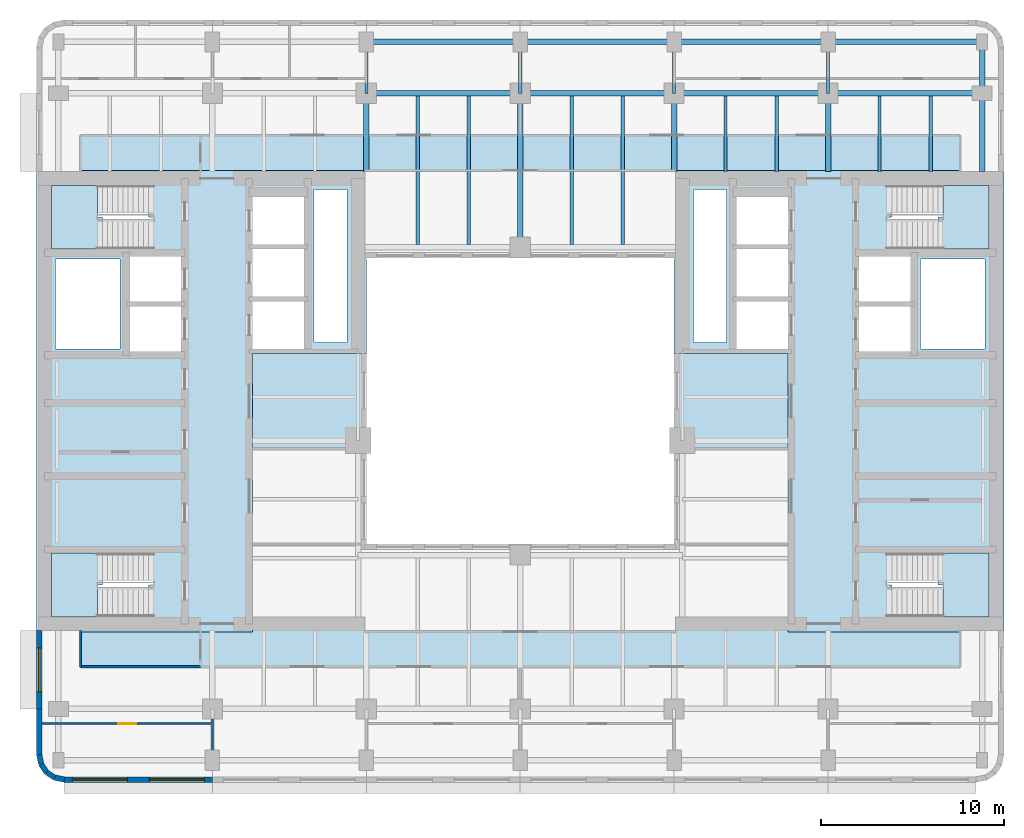
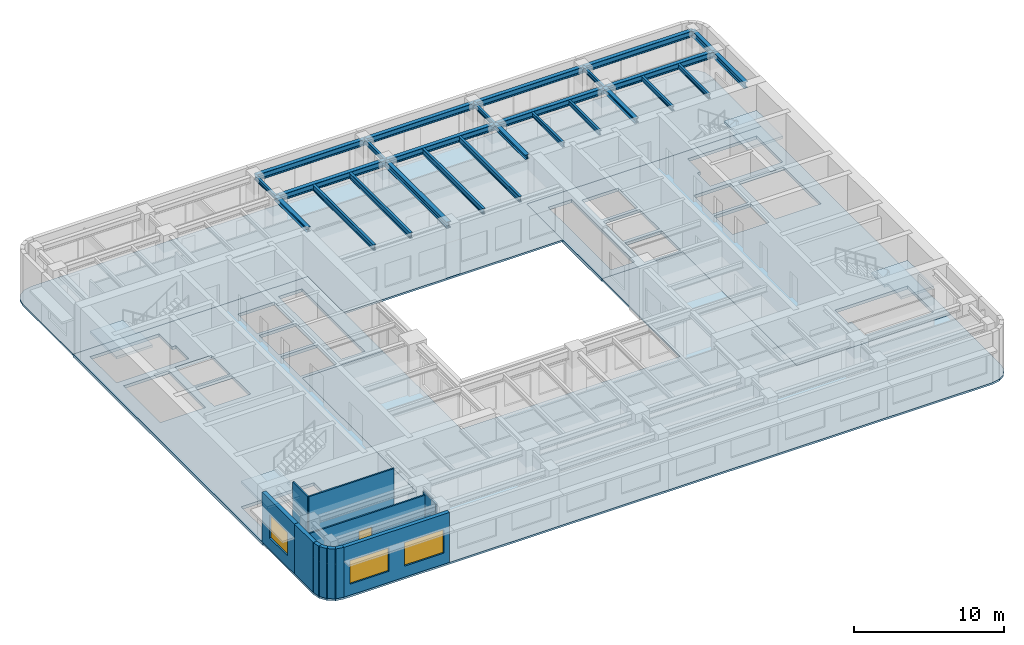
# One storey, part 2 of 11: 26 beams, 11 walls, 8 slabs, 3 windows, 1 door, 4 openings, 4 elements without a shape of their own.
"""IFC4 building model written with IfcOpenShell, lengths in metres."""

from ifc_helpers import new_model, si_unit, direction, frame, frame_2d, origin, origin_2d, place, context, subcontext, project, spatial, polyline, rectangle, i_section, outline, extrude, material, layer, layer_set, material_profile, profile_set, type_object, element, fill, aggregate, save


model = new_model("IFC4")

# Units and contexts
model_context = context("Model", 3, precision=1e-05, world=origin(), true_north=direction((0.0, 1.0)))
body_context = subcontext(model_context, "Body", "Model", "MODEL_VIEW")
ifc_project = project(units=[si_unit("LENGTHUNIT", "METRE"), si_unit("AREAUNIT", "SQUARE_METRE"), si_unit("VOLUMEUNIT", "CUBIC_METRE"), si_unit("PLANEANGLEUNIT", "RADIAN"), si_unit("MASSUNIT", "GRAM", prefix="KILO")], contexts=[model_context])

# Site, building, storey
site_placement = place(None, origin())
site = spatial("IfcSite", under=ifc_project, at=site_placement, CompositionType="ELEMENT")
building_placement = place(site_placement, origin())
building = spatial("IfcBuilding", under=site, at=building_placement, Name="Claustro Exchange Tower", CompositionType="ELEMENT")
storey_placement = place(building_placement, frame((0.0, 0.0, 198.60009765625)))
storey = spatial("IfcBuildingStorey", under=building, at=storey_placement, Name="L45", CompositionType="ELEMENT", Elevation=198.60009765625)

# Beams
ifc_material_1 = material(Name="Steel S355", Category="steel")
ifc_material_profile_1 = material_profile(ifc_material_1, i_section(OverallWidth=0.169921875, OverallDepth=0.360107421875, WebThickness=0.008056640625, FlangeThickness=0.0126953125, FilletRadius=0.01806640625, at=origin_2d()), Name="IPE 360")
ifc_profile_set_1 = profile_set([ifc_material_profile_1], Name="Steel S355")
beam_type_1 = type_object("IfcBeamType", Name="B16 IPE 360 short-span beam", PredefinedType="BEAM", material=ifc_profile_set_1)
for number, where, z_axis, x_axis, name in (
    (1, (16.800048828125, 42.0, 3.869873046875), (0.0, 1.0, 0.0), (-1.0, 0.0, 0.0), "Beam B16 L46"),
    (2, (25.199951171875, 42.0, 3.869873046875), (0.0, 1.0, 0.0), (-1.0, 0.0, 0.0), "Beam B16 L46"),
    (3, (33.60009765625, 42.0, 3.869873046875), (0.0, 1.0, 0.0), (-1.0, 0.0, 0.0), "Beam B16 L46"),
    (4, (42.0, 42.0, 3.869873046875), (0.0, 1.0, 0.0), (-1.0, 0.0, 0.0), "Beam B16 L46"),
):
    element("IfcBeam", number, at=place(storey_placement, frame(where, z_axis=z_axis, x_axis=x_axis)), inside=storey, type_object=beam_type_1, Name=name, PredefinedType="BEAM", context=body_context, shape_type="SweptSolid", body=[
        extrude(i_section(OverallWidth=0.169921875, OverallDepth=0.360107421875, WebThickness=0.008056640625, FlangeThickness=0.0126953125, FilletRadius=0.01806640625, at=origin_2d()), origin(), (0.0, 0.0, 1.0), 2.800048828125),
    ])
for number, where, z_axis, x_axis, name in (
    (5, (36.39990234375, 37.72509765625, 3.869873046875), (0.0, 1.0, 0.0), (-1.0, 0.0, 0.0), "Beam B16 L46"),
    (6, (39.199951171875, 37.72509765625, 3.869873046875), (0.0, 1.0, 0.0), (-1.0, 0.0, 0.0), "Beam B16 L46"),
    (7, (44.800048828125, 37.72509765625, 3.869873046875), (0.0, 1.0, 0.0), (-1.0, 0.0, 0.0), "Beam B16 L46"),
    (8, (47.60009765625, 37.72509765625, 3.869873046875), (0.0, 1.0, 0.0), (-1.0, 0.0, 0.0), "Beam B16 L46"),
):
    element("IfcBeam", number, at=place(storey_placement, frame(where, z_axis=z_axis, x_axis=x_axis)), inside=storey, type_object=beam_type_1, Name=name, PredefinedType="BEAM", context=body_context, shape_type="SweptSolid", body=[
        extrude(i_section(OverallWidth=0.169921875, OverallDepth=0.360107421875, WebThickness=0.008056640625, FlangeThickness=0.0126953125, FilletRadius=0.01806640625, at=origin_2d()), origin(), (0.0, 0.0, 1.0), 4.125),
    ])
ifc_material_2 = material(Name="Steel S355", Category="steel")
ifc_material_profile_2 = material_profile(ifc_material_2, i_section(OverallWidth=0.300048828125, OverallDepth=0.360107421875, WebThickness=0.012451171875, FlangeThickness=0.0224609375, FilletRadius=0.027099609375, at=origin_2d()), Name="HE 360 B")
ifc_profile_set_2 = profile_set([ifc_material_profile_2], Name="Steel S355")
beam_type_2 = type_object("IfcBeamType", Name="B29 HE 360 B column to core link beam", PredefinedType="BEAM", material=ifc_profile_set_2)
for number, where, z_axis, x_axis, name in (
    (9, (16.800048828125, 37.72509765625, 3.869873046875), (0.0, 1.0, 0.0), (-1.0, 0.0, 0.0), "Beam B29 L46"),
    (10, (33.60009765625, 37.72509765625, 3.869873046875), (0.0, 1.0, 0.0), (-1.0, 0.0, 0.0), "Beam B29 L46"),
    (11, (42.0, 37.72509765625, 3.869873046875), (0.0, 1.0, 0.0), (-1.0, 0.0, 0.0), "Beam B29 L46"),
):
    element("IfcBeam", number, at=place(storey_placement, frame(where, z_axis=z_axis, x_axis=x_axis)), inside=storey, type_object=beam_type_2, Name=name, PredefinedType="BEAM", context=body_context, shape_type="SweptSolid", body=[
        extrude(i_section(OverallWidth=0.300048828125, OverallDepth=0.360107421875, WebThickness=0.012451171875, FlangeThickness=0.0224609375, FilletRadius=0.027099609375, at=origin_2d()), origin(), (0.0, 0.0, 1.0), 4.27490234375),
    ])
ifc_material_3 = material(Name="Steel S355", Category="steel")
ifc_material_profile_3 = material_profile(ifc_material_3, i_section(OverallWidth=0.300048828125, OverallDepth=0.5, WebThickness=0.014404296875, FlangeThickness=0.028076171875, FilletRadius=0.027099609375, at=origin_2d()), Name="HE 500 B")
ifc_profile_set_3 = profile_set([ifc_material_profile_3], Name="Steel S355")
beam_type_3 = type_object("IfcBeamType", Name="B7 HE 500 B floor girder", PredefinedType="BEAM", material=ifc_profile_set_3)
for number, where, z_axis, x_axis, name in (
    (12, (25.199951171875, 33.60009765625, 3.7998046875), (0.0, 1.0, 0.0), (-1.0, 0.0, 0.0), "Beam B7 L46"),
    (13, (16.800048828125, 42.0, 3.7998046875), (1.0, 0.0, 0.0), (0.0, 1.0, 0.0), "Beam B7 L46"),
):
    element("IfcBeam", number, at=place(storey_placement, frame(where, z_axis=z_axis, x_axis=x_axis)), inside=storey, type_object=beam_type_3, Name=name, PredefinedType="BEAM", context=body_context, shape_type="SweptSolid", body=[
        extrude(i_section(OverallWidth=0.300048828125, OverallDepth=0.5, WebThickness=0.014404296875, FlangeThickness=0.028076171875, FilletRadius=0.027099609375, at=origin_2d()), origin(), (0.0, 0.0, 1.0), 8.39990234375),
    ])
beam_1_placement = place(storey_placement, frame((25.199951171875, 42.0, 3.7998046875), z_axis=(1.0, 0.0, 0.0), x_axis=(0.0, 1.0, 0.0)))
element("IfcBeam", 14, at=beam_1_placement, inside=storey, type_object=beam_type_3, Name="Beam B7 L46", PredefinedType="BEAM", context=body_context, shape_type="SweptSolid", body=[
    extrude(i_section(OverallWidth=0.300048828125, OverallDepth=0.5, WebThickness=0.014404296875, FlangeThickness=0.028076171875, FilletRadius=0.027099609375, at=origin_2d()), origin(), (0.0, 0.0, 1.0), 8.400146484375),
])
for number, where, z_axis, x_axis, name in (
    (15, (33.60009765625, 42.0, 3.7998046875), (1.0, 0.0, 0.0), (0.0, 1.0, 0.0), "Beam B7 L46"),
    (16, (42.0, 42.0, 3.7998046875), (1.0, 0.0, 0.0), (0.0, 1.0, 0.0), "Beam B7 L46"),
):
    element("IfcBeam", number, at=place(storey_placement, frame(where, z_axis=z_axis, x_axis=x_axis)), inside=storey, type_object=beam_type_3, Name=name, PredefinedType="BEAM", context=body_context, shape_type="SweptSolid", body=[
        extrude(i_section(OverallWidth=0.300048828125, OverallDepth=0.5, WebThickness=0.014404296875, FlangeThickness=0.028076171875, FilletRadius=0.027099609375, at=origin_2d()), origin(), (0.0, 0.0, 1.0), 8.39990234375),
    ])
ifc_material_4 = material(Name="Steel S355", Category="steel")
ifc_material_profile_4 = material_profile(ifc_material_4, i_section(OverallWidth=0.18994140625, OverallDepth=0.449951171875, WebThickness=0.009521484375, FlangeThickness=0.0146484375, FilletRadius=0.02099609375, at=origin_2d()), Name="IPE 450")
ifc_profile_set_4 = profile_set([ifc_material_profile_4], Name="Steel S355")
beam_type_4 = type_object("IfcBeamType", Name="B8 IPE 450 secondary beam", PredefinedType="BEAM", material=ifc_profile_set_4)
for number, where, z_axis, x_axis, name in (
    (17, (19.60009765625, 33.75, 3.824951171875), (0.0, 1.0, 0.0), (-1.0, 0.0, 0.0), "Beam B8 L46"),
    (18, (22.39990234375, 33.75, 3.824951171875), (0.0, 1.0, 0.0), (-1.0, 0.0, 0.0), "Beam B8 L46"),
    (19, (28.0, 33.75, 3.824951171875), (0.0, 1.0, 0.0), (-1.0, 0.0, 0.0), "Beam B8 L46"),
    (20, (30.800048828125, 33.75, 3.824951171875), (0.0, 1.0, 0.0), (-1.0, 0.0, 0.0), "Beam B8 L46"),
):
    element("IfcBeam", number, at=place(storey_placement, frame(where, z_axis=z_axis, x_axis=x_axis)), inside=storey, type_object=beam_type_4, Name=name, PredefinedType="BEAM", context=body_context, shape_type="SweptSolid", body=[
        extrude(i_section(OverallWidth=0.18994140625, OverallDepth=0.449951171875, WebThickness=0.009521484375, FlangeThickness=0.0146484375, FilletRadius=0.02099609375, at=origin_2d()), origin(), (0.0, 0.0, 1.0), 8.10009765625),
    ])
ifc_material_5 = material(Name="Steel S355", Category="steel")
ifc_material_profile_5 = material_profile(ifc_material_5, i_section(OverallWidth=0.300048828125, OverallDepth=0.489990234375, WebThickness=0.011962890625, FlangeThickness=0.02294921875, FilletRadius=0.027099609375, at=origin_2d()), Name="HE 500 A")
ifc_profile_set_5 = profile_set([ifc_material_profile_5], Name="Steel S355")
beam_type_5 = type_object("IfcBeamType", Name="B9 HE 500 A spandrel edge girder", PredefinedType="SPANDREL", material=ifc_profile_set_5)
beam_2_placement = place(storey_placement, frame((50.39990234375, 37.72509765625, 3.804931640625), z_axis=(0.0, 1.0, 0.0), x_axis=(-1.0, 0.0, 0.0)))
element("IfcBeam", 21, at=beam_2_placement, inside=storey, type_object=beam_type_5, Name="Beam B9 L46", PredefinedType="SPANDREL", context=body_context, shape_type="SweptSolid", body=[
    extrude(i_section(OverallWidth=0.300048828125, OverallDepth=0.489990234375, WebThickness=0.011962890625, FlangeThickness=0.02294921875, FilletRadius=0.027099609375, at=origin_2d()), origin(), (0.0, 0.0, 1.0), 4.27490234375),
])
beam_3_placement = place(storey_placement, frame((50.39990234375, 42.0, 3.804931640625), z_axis=(0.0, 1.0, 0.0), x_axis=(-1.0, 0.0, 0.0)))
element("IfcBeam", 22, at=beam_3_placement, inside=storey, type_object=beam_type_5, Name="Beam B9 L46", PredefinedType="SPANDREL", context=body_context, shape_type="SweptSolid", body=[
    extrude(i_section(OverallWidth=0.300048828125, OverallDepth=0.489990234375, WebThickness=0.011962890625, FlangeThickness=0.02294921875, FilletRadius=0.027099609375, at=origin_2d()), origin(), (0.0, 0.0, 1.0), 2.800048828125),
])
beam_4_placement = place(storey_placement, frame((16.800048828125, 44.800048828125, 3.804931640625), z_axis=(1.0, 0.0, 0.0), x_axis=(0.0, 1.0, 0.0)))
element("IfcBeam", 23, at=beam_4_placement, inside=storey, type_object=beam_type_5, Name="Beam B9 L46", PredefinedType="SPANDREL", context=body_context, shape_type="SweptSolid", body=[
    extrude(i_section(OverallWidth=0.300048828125, OverallDepth=0.489990234375, WebThickness=0.011962890625, FlangeThickness=0.02294921875, FilletRadius=0.027099609375, at=origin_2d()), origin(), (0.0, 0.0, 1.0), 8.39990234375),
])
beam_5_placement = place(storey_placement, frame((25.199951171875, 44.800048828125, 3.804931640625), z_axis=(1.0, 0.0, 0.0), x_axis=(0.0, 1.0, 0.0)))
element("IfcBeam", 24, at=beam_5_placement, inside=storey, type_object=beam_type_5, Name="Beam B9 L46", PredefinedType="SPANDREL", context=body_context, shape_type="SweptSolid", body=[
    extrude(i_section(OverallWidth=0.300048828125, OverallDepth=0.489990234375, WebThickness=0.011962890625, FlangeThickness=0.02294921875, FilletRadius=0.027099609375, at=origin_2d()), origin(), (0.0, 0.0, 1.0), 8.400146484375),
])
for number, where, z_axis, x_axis, name in (
    (25, (33.60009765625, 44.800048828125, 3.804931640625), (1.0, 0.0, 0.0), (0.0, 1.0, 0.0), "Beam B9 L46"),
    (26, (42.0, 44.800048828125, 3.804931640625), (1.0, 0.0, 0.0), (0.0, 1.0, 0.0), "Beam B9 L46"),
):
    element("IfcBeam", number, at=place(storey_placement, frame(where, z_axis=z_axis, x_axis=x_axis)), inside=storey, type_object=beam_type_5, Name=name, PredefinedType="SPANDREL", context=body_context, shape_type="SweptSolid", body=[
        extrude(i_section(OverallWidth=0.300048828125, OverallDepth=0.489990234375, WebThickness=0.011962890625, FlangeThickness=0.02294921875, FilletRadius=0.027099609375, at=origin_2d()), origin(), (0.0, 0.0, 1.0), 8.39990234375),
    ])

# Slabs
ifc_material_6 = material(Name="Concrete HA-50 (C50/60)", Category="concrete")
ifc_layer_1 = layer(ifc_material_6, 0.14990234375)
ifc_layer_set_1 = layer_set([ifc_layer_1], Name="Concrete HA-50 (C50/60)")
slab_type_1 = type_object("IfcSlabType", Name="S2 150 composite floor slab", PredefinedType="FLOOR", material=ifc_layer_set_1)
slab_1_placement = place(storey_placement, frame((0.0, 0.0, -0.150146484375)))
element("IfcSlab", 27, at=slab_1_placement, inside=storey, type_object=slab_type_1, Name="Floor slab S2 S L45", PredefinedType="FLOOR", context=body_context, shape_type="SweptSolid", body=[
    extrude(outline(polyline([(-0.27392578125, 4.51416015625), (0.300048828125, 4.39990234375), (50.10009765625, 4.39990234375), (50.674072265625, 4.51416015625), (51.16064453125, 4.83935546875), (51.48583984375, 5.325927734375), (51.60009765625, 5.89990234375), (51.60009765625, 12.60009765625), (39.800048828125, 12.60009765625), (39.800048828125, 27.800048828125), (33.60009765625, 27.800048828125), (33.60009765625, 17.39990234375), (16.800048828125, 17.39990234375), (16.800048828125, 27.800048828125), (10.60009765625, 27.800048828125), (10.60009765625, 12.60009765625), (-1.199951171875, 12.60009765625), (-1.199951171875, 5.89990234375), (-1.085693359375, 5.325927734375), (-0.7607421875, 4.83935546875), (-0.27392578125, 4.51416015625)])), origin(), (0.0, 0.0, 1.0), 0.150146484375),
])
slab_2_placement = place(storey_placement, frame((0.0, 0.0, -0.150146484375)))
element("IfcSlab", 28, at=slab_2_placement, inside=storey, type_object=slab_type_1, Name="Floor slab S2 N L45", PredefinedType="FLOOR", context=body_context, shape_type="SweptSolid", body=[
    extrude(outline(polyline([(16.800048828125, 37.800048828125), (16.800048828125, 33.0), (33.60009765625, 33.0), (33.60009765625, 37.800048828125), (51.60009765625, 37.800048828125), (51.60009765625, 44.5), (51.48583984375, 45.073974609375), (51.16064453125, 45.560791015625), (50.674072265625, 45.8857421875), (50.10009765625, 46.0), (0.300048828125, 46.0), (-0.27392578125, 45.8857421875), (-0.7607421875, 45.560791015625), (-1.085693359375, 45.073974609375), (-1.199951171875, 44.5), (-1.199951171875, 37.800048828125), (16.800048828125, 37.800048828125)])), origin(), (0.0, 0.0, 1.0), 0.150146484375),
])
ifc_material_7 = material(Name="Concrete HA-50 (C50/60)", Category="concrete")
ifc_layer_2 = layer(ifc_material_7, 0.25)
ifc_layer_set_2 = layer_set([ifc_layer_2], Name="Concrete HA-50 (C50/60)")
slab_type_2 = type_object("IfcSlabType", Name="S7 250 core floor slab", PredefinedType="FLOOR", material=ifc_layer_set_2)
slab_3_placement = place(storey_placement, frame((0.0, 0.0, -0.25)))
element("IfcSlab", 29, at=slab_3_placement, inside=storey, type_object=slab_type_2, Name="Core floor slab S7 W core L45", PredefinedType="FLOOR", context=body_context, shape_type="SweptSolid", body=[
    extrude(outline(polyline([(-1.199951171875, 37.800048828125), (-1.199951171875, 12.60009765625), (10.60009765625, 12.60009765625), (10.60009765625, 27.800048828125), (16.800048828125, 27.800048828125), (16.800048828125, 37.800048828125), (-1.199951171875, 37.800048828125)]), holes=[polyline([(13.949951171875, 36.75), (15.75, 36.75), (15.75, 28.39990234375), (13.949951171875, 28.39990234375), (13.949951171875, 36.75)]), polyline([(10.60009765625, 30.64990234375), (13.39990234375, 30.64990234375), (13.39990234375, 28.050048828125), (10.60009765625, 28.050048828125), (10.60009765625, 30.64990234375)]), polyline([(10.60009765625, 33.5), (13.39990234375, 33.5), (13.39990234375, 30.89990234375), (10.60009765625, 30.89990234375), (10.60009765625, 33.5)]), polyline([(13.39990234375, 36.35009765625), (13.39990234375, 33.75), (10.60009765625, 33.75), (10.60009765625, 36.35009765625), (13.39990234375, 36.35009765625)]), polyline([(3.89990234375, 30.375), (6.699951171875, 30.375), (6.699951171875, 27.89990234375), (3.89990234375, 27.89990234375), (3.89990234375, 30.375)]), polyline([(3.89990234375, 33.10009765625), (6.699951171875, 33.10009765625), (6.699951171875, 30.625), (3.89990234375, 30.625), (3.89990234375, 33.10009765625)]), polyline([(-0.375, 15.16259765625), (-0.375, 16.89990234375), (5.195068359375, 16.89990234375), (5.195068359375, 15.16259765625), (4.919921875, 15.16259765625), (4.919921875, 13.425048828125), (-0.375, 13.425048828125), (-0.375, 15.16259765625)]), polyline([(-0.375, 35.237548828125), (-0.375, 36.97509765625), (4.919921875, 36.97509765625), (4.919921875, 35.237548828125), (5.195068359375, 35.237548828125), (5.195068359375, 33.5), (-0.375, 33.5), (-0.375, 35.237548828125)]), polyline([(-0.14990234375, 32.949951171875), (3.35009765625, 32.949951171875), (3.35009765625, 28.050048828125), (-0.14990234375, 28.050048828125), (-0.14990234375, 32.949951171875)])]), origin(), (0.0, 0.0, 1.0), 0.25),
])
slab_4_placement = place(storey_placement, frame((0.0, 0.0, -0.25)))
element("IfcSlab", 30, at=slab_4_placement, inside=storey, type_object=slab_type_2, Name="Core floor slab S7 E core L45", PredefinedType="FLOOR", context=body_context, shape_type="SweptSolid", body=[
    extrude(outline(polyline([(51.60009765625, 37.800048828125), (33.60009765625, 37.800048828125), (33.60009765625, 27.800048828125), (39.800048828125, 27.800048828125), (39.800048828125, 12.60009765625), (51.60009765625, 12.60009765625), (51.60009765625, 37.800048828125)]), holes=[polyline([(45.47998046875, 15.16259765625), (45.205078125, 15.16259765625), (45.205078125, 16.89990234375), (50.77490234375, 16.89990234375), (50.77490234375, 15.16259765625), (50.77490234375, 13.425048828125), (45.47998046875, 13.425048828125), (45.47998046875, 15.16259765625)]), polyline([(45.47998046875, 35.237548828125), (45.47998046875, 36.97509765625), (50.77490234375, 36.97509765625), (50.77490234375, 35.237548828125), (50.77490234375, 33.5), (45.205078125, 33.5), (45.205078125, 35.237548828125), (45.47998046875, 35.237548828125)]), polyline([(47.050048828125, 32.949951171875), (50.550048828125, 32.949951171875), (50.550048828125, 28.050048828125), (47.050048828125, 28.050048828125), (47.050048828125, 32.949951171875)]), polyline([(43.699951171875, 30.375), (46.5, 30.375), (46.5, 27.89990234375), (43.699951171875, 27.89990234375), (43.699951171875, 30.375)]), polyline([(43.699951171875, 33.10009765625), (46.5, 33.10009765625), (46.5, 30.625), (43.699951171875, 30.625), (43.699951171875, 33.10009765625)]), polyline([(37.0, 30.64990234375), (39.800048828125, 30.64990234375), (39.800048828125, 28.050048828125), (37.0, 28.050048828125), (37.0, 30.64990234375)]), polyline([(37.0, 33.5), (39.800048828125, 33.5), (39.800048828125, 30.89990234375), (37.0, 30.89990234375), (37.0, 33.5)]), polyline([(39.800048828125, 36.35009765625), (39.800048828125, 33.75), (37.0, 33.75), (37.0, 36.35009765625), (39.800048828125, 36.35009765625)]), polyline([(34.64990234375, 36.75), (36.449951171875, 36.75), (36.449951171875, 28.39990234375), (34.64990234375, 28.39990234375), (34.64990234375, 36.75)])]), origin(), (0.0, 0.0, 1.0), 0.25),
])

# Stair, slab
ifc_material_8 = material(Name="Concrete HA-30 (C30/37), precast", Category="concrete")
stair_type = type_object("IfcStairType", Name="ST1 half-turn stair, 24 risers of 175", PredefinedType="HALF_TURN_STAIR", material=ifc_material_8)
stair_1_placement = place(storey_placement, origin())
stair_1 = element("IfcStair", 31, at=stair_1_placement, inside=storey, type_object=stair_type, Name="Stair STWA L45", PredefinedType="HALF_TURN_STAIR")
ifc_material_9 = material(Name="Concrete HA-30 (C30/37), precast", Category="concrete")
ifc_layer_3 = layer(ifc_material_9, 0.199951171875)
ifc_layer_set_3 = layer_set([ifc_layer_3], Name="Concrete HA-30 (C30/37), precast")
slab_type_3 = type_object("IfcSlabType", Name="S9 200 stair landing", PredefinedType="LANDING", material=ifc_layer_set_3)
slab_5_placement = place(storey_placement, frame((0.0, 0.0, 1.89990234375)))
slab_5 = element("IfcSlab", 32, at=slab_5_placement, type_object=slab_type_3, Name="STWA landing 1", PredefinedType="LANDING", context=body_context, shape_type="SweptSolid", body=[
    extrude(outline(polyline([(2.125, 13.425048828125), (-0.375, 13.425048828125), (-0.375, 16.89990234375), (2.1201171875, 16.89990234375), (2.125, 16.89990234375), (2.39990234375, 16.89990234375), (2.39990234375, 15.16259765625), (2.125, 15.16259765625), (2.125, 13.425048828125)])), origin(), (0.0, 0.0, 1.0), 0.199951171875),
])
aggregate(stair_1, [slab_5])

stair_2_placement = place(storey_placement, origin())
stair_2 = element("IfcStair", 33, at=stair_2_placement, inside=storey, type_object=stair_type, Name="Stair STWB L45", PredefinedType="HALF_TURN_STAIR")
slab_6_placement = place(storey_placement, frame((0.0, 0.0, 1.89990234375)))
slab_6 = element("IfcSlab", 34, at=slab_6_placement, type_object=slab_type_3, Name="STWB landing 1", PredefinedType="LANDING", context=body_context, shape_type="SweptSolid", body=[
    extrude(outline(polyline([(2.39990234375, 35.237548828125), (2.39990234375, 33.5), (2.125, 33.5), (2.1201171875, 33.5), (-0.375, 33.5), (-0.375, 36.97509765625), (2.125, 36.97509765625), (2.125, 35.237548828125), (2.39990234375, 35.237548828125)])), origin(), (0.0, 0.0, 1.0), 0.199951171875),
])
aggregate(stair_2, [slab_6])

stair_3_placement = place(storey_placement, origin())
stair_3 = element("IfcStair", 35, at=stair_3_placement, inside=storey, type_object=stair_type, Name="Stair STEA L45", PredefinedType="HALF_TURN_STAIR")
slab_7_placement = place(storey_placement, frame((0.0, 0.0, 1.89990234375)))
slab_7 = element("IfcSlab", 36, at=slab_7_placement, type_object=slab_type_3, Name="STEA landing 1", PredefinedType="LANDING", context=body_context, shape_type="SweptSolid", body=[
    extrude(outline(polyline([(50.77490234375, 16.89990234375), (50.77490234375, 13.425048828125), (48.27490234375, 13.425048828125), (48.27490234375, 15.16259765625), (48.0, 15.16259765625), (48.0, 16.89990234375), (48.27490234375, 16.89990234375), (48.280029296875, 16.89990234375), (50.77490234375, 16.89990234375)])), origin(), (0.0, 0.0, 1.0), 0.199951171875),
])
aggregate(stair_3, [slab_7])

stair_4_placement = place(storey_placement, origin())
stair_4 = element("IfcStair", 37, at=stair_4_placement, inside=storey, type_object=stair_type, Name="Stair STEB L45", PredefinedType="HALF_TURN_STAIR")
slab_8_placement = place(storey_placement, frame((0.0, 0.0, 1.89990234375)))
slab_8 = element("IfcSlab", 38, at=slab_8_placement, type_object=slab_type_3, Name="STEB landing 1", PredefinedType="LANDING", context=body_context, shape_type="SweptSolid", body=[
    extrude(outline(polyline([(48.0, 33.5), (48.0, 35.237548828125), (48.27490234375, 35.237548828125), (48.27490234375, 36.97509765625), (50.77490234375, 36.97509765625), (50.77490234375, 33.5), (48.280029296875, 33.5), (48.27490234375, 33.5), (48.0, 33.5)])), origin(), (0.0, 0.0, 1.0), 0.199951171875),
])
aggregate(stair_4, [slab_8])

# Wall, opening, door
ifc_material_10 = material(Name="Laminated glass in aluminium frame", Category="aluminium")
ifc_layer_4 = layer(ifc_material_10, 0.1201171875)
ifc_layer_set_4 = layer_set([ifc_layer_4], Name="Laminated glass in aluminium frame")
wall_type_1 = type_object("IfcWallType", Name="P2 120 glazed partition", PredefinedType="PARTITIONING", material=ifc_layer_set_4)
wall_1_placement = place(storey_placement, frame((-0.902099609375, 7.60009765625, 0.0), z_axis=(0.0, 0.0, 1.0), x_axis=(1.0, 0.0, 0.0)))
wall_1 = element("IfcWall", 39, at=wall_1_placement, inside=storey, type_object=wall_type_1, Name="Partition P2 L45", PredefinedType="PARTITIONING", context=body_context, shape_type="SweptSolid", body=[
    extrude(rectangle(XDim=9.302001953125, YDim=0.1201171875, at=frame_2d((4.65087890625, 0.0))), origin(), (0.0, 0.0, 1.0), 3.559814453125),
])
opening_1_placement = place(wall_1_placement, frame((4.152099609375, 0.0, 0.0)))
opening_1 = element("IfcOpeningElement", 40, at=opening_1_placement, cuts=wall_1, Name="Opening D7", PredefinedType="OPENING", context=body_context, shape_type="SweptSolid", body=[
    extrude(rectangle(XDim=1.0, YDim=2.39990234375, at=frame_2d((0.5, 1.199951171875))), frame((0.0, 0.070068359375, 0.0), z_axis=(0.0, -1.0, 0.0), x_axis=(1.0, 0.0, 0.0)), (0.0, 0.0, 1.0), 0.14013671875),
])
ifc_material_11 = material(Name="Glass door in aluminium frame", Category="aluminium")
door_type = type_object("IfcDoorType", Name="D7 1000 x 2400 glazed door", OperationType="SINGLE_SWING_LEFT", PredefinedType="DOOR", material=ifc_material_11)
door_placement = place(opening_1_placement, frame((1.0, 0.0, 0.0), z_axis=(0.0, 0.0, 1.0), x_axis=(-1.0, 0.0, 0.0)))
door = element("IfcDoor", 41, at=door_placement, inside=storey, type_object=door_type, Name="Door D7 L45", OperationType="SINGLE_SWING_LEFT", OverallHeight=2.39990234375, OverallWidth=1.0, PredefinedType="DOOR", context=body_context, shape_type="SweptSolid", body=[
    extrude(rectangle(XDim=1.0, YDim=2.39990234375, at=frame_2d((0.5, 1.199951171875))), frame((0.0, 0.02490234375, 0.0), z_axis=(0.0, -1.0, 0.0), x_axis=(1.0, 0.0, 0.0)), (0.0, 0.0, 1.0), 0.050048828125),
])
fill(opening_1, door)

# Walls
wall_2_placement = place(storey_placement, frame((8.39990234375, 6.14892578125, 0.0), z_axis=(0.0, 0.0, 1.0), x_axis=(0.0, 1.0, 0.0)))
element("IfcWall", 42, at=wall_2_placement, inside=storey, type_object=wall_type_1, Name="Partition P2 L45", PredefinedType="PARTITIONING", context=body_context, shape_type="SweptSolid", body=[
    extrude(rectangle(XDim=1.703125, YDim=0.1201171875, at=frame_2d((0.8515625, 0.0))), origin(), (0.0, 0.0, 1.0), 3.68994140625),
])
wall_3_placement = place(storey_placement, frame((1.199951171875, 10.699951171875, 0.0), z_axis=(0.0, 0.0, 1.0), x_axis=(1.0, 0.0, 0.0)))
element("IfcWall", 43, at=wall_3_placement, inside=storey, type_object=wall_type_1, Name="Partition P2 L45", PredefinedType="PARTITIONING", context=body_context, shape_type="SweptSolid", body=[
    extrude(rectangle(XDim=6.552001953125, YDim=0.1201171875, at=frame_2d((3.27587890625, 0.0))), origin(), (0.0, 0.0, 1.0), 4.0498046875),
])
wall_4_placement = place(storey_placement, frame((1.199951171875, 10.699951171875, 0.0), z_axis=(0.0, 0.0, 1.0), x_axis=(0.0, 1.0, 0.0)))
element("IfcWall", 44, at=wall_4_placement, inside=storey, type_object=wall_type_1, Name="Partition P2 L45", PredefinedType="PARTITIONING", context=body_context, shape_type="SweptSolid", body=[
    extrude(rectangle(XDim=1.97607421875, YDim=0.1201171875, at=frame_2d((0.988037109375, 0.0))), origin(), (0.0, 0.0, 1.0), 4.0498046875),
])

# Wall, openings, windows
ifc_material_12 = material(Name="Concrete HA-40 (C40/50), precast, white cement, acid-etched", Category="concrete")
ifc_layer_5 = layer(ifc_material_12, 0.300048828125)
ifc_layer_set_5 = layer_set([ifc_layer_5], Name="Concrete HA-40 (C40/50), precast, white cement, acid-etched")
wall_type_2 = type_object("IfcWallType", Name="PC1 300 precast concrete pier panel", PredefinedType="SOLIDWALL", material=ifc_layer_set_5)
wall_5_placement = place(storey_placement, frame((8.39990234375, 4.550048828125, 0.0), z_axis=(0.0, 0.0, 1.0), x_axis=(-1.0, 0.0, 0.0)))
wall_5 = element("IfcWall", 45, at=wall_5_placement, inside=storey, type_object=wall_type_2, Name="Precast pier panel PC1 L45", PredefinedType="SOLIDWALL", context=body_context, shape_type="SweptSolid", body=[
    extrude(rectangle(XDim=8.085205078125, YDim=0.300048828125, at=frame_2d((4.04248046875, 0.0))), origin(), (0.0, 0.0, 1.0), 4.0498046875),
])
opening_2_placement = place(wall_5_placement, frame((0.442626953125, 0.0, 0.89990234375)))
opening_2 = element("IfcOpeningElement", 46, at=opening_2_placement, cuts=wall_5, Name="Opening W1", PredefinedType="OPENING", context=body_context, shape_type="SweptSolid", body=[
    extrude(rectangle(XDim=3.0, YDim=1.89990234375, at=frame_2d((1.5, 0.949951171875))), frame((0.0, 0.159912109375, 0.0), z_axis=(0.0, -1.0, 0.0), x_axis=(1.0, 0.0, 0.0)), (0.0, 0.0, 1.0), 0.320068359375),
])
opening_3_placement = place(wall_5_placement, frame((4.642578125, 0.0, 0.89990234375)))
opening_3 = element("IfcOpeningElement", 47, at=opening_3_placement, cuts=wall_5, Name="Opening W1", PredefinedType="OPENING", context=body_context, shape_type="SweptSolid", body=[
    extrude(rectangle(XDim=3.0, YDim=1.89990234375, at=frame_2d((1.5, 0.949951171875))), frame((0.0, 0.159912109375, 0.0), z_axis=(0.0, -1.0, 0.0), x_axis=(1.0, 0.0, 0.0)), (0.0, 0.0, 1.0), 0.320068359375),
])
ifc_material_13 = material(Name="Aluminium frame, clear double glazing", Category="aluminium")
window_type_1 = type_object("IfcWindowType", Name="W1 3000 x 1900 window", PartitioningType="SINGLE_PANEL", PredefinedType="WINDOW", material=ifc_material_13)
window_1_placement = place(opening_2_placement, origin())
window_1 = element("IfcWindow", 48, at=window_1_placement, inside=storey, type_object=window_type_1, Name="Window W1 L45", OverallHeight=1.89990234375, OverallWidth=3.0, PartitioningType="SINGLE_PANEL", PredefinedType="WINDOW", context=body_context, shape_type="SweptSolid", body=[
    extrude(rectangle(XDim=3.0, YDim=1.89990234375, at=frame_2d((1.5, 0.949951171875))), frame((0.0, 0.030029296875, 0.0), z_axis=(0.0, -1.0, 0.0), x_axis=(1.0, 0.0, 0.0)), (0.0, 0.0, 1.0), 0.06005859375),
])
fill(opening_2, window_1)
window_2_placement = place(opening_3_placement, origin())
window_2 = element("IfcWindow", 49, at=window_2_placement, inside=storey, type_object=window_type_1, Name="Window W1 L45", OverallHeight=1.89990234375, OverallWidth=3.0, PartitioningType="SINGLE_PANEL", PredefinedType="WINDOW", context=body_context, shape_type="SweptSolid", body=[
    extrude(rectangle(XDim=3.0, YDim=1.89990234375, at=frame_2d((1.5, 0.949951171875))), frame((0.0, 0.030029296875, 0.0), z_axis=(0.0, -1.0, 0.0), x_axis=(1.0, 0.0, 0.0)), (0.0, 0.0, 1.0), 0.06005859375),
])
fill(opening_3, window_2)

# Walls
wall_6_placement = place(storey_placement, frame((0.314697265625, 4.550048828125, 0.0), z_axis=(0.0, 0.0, 1.0), x_axis=(-0.980788534345, 0.195073962632, 0.0)))
element("IfcWall", 50, at=wall_6_placement, inside=storey, type_object=wall_type_2, Name="Precast pier panel PC1 L45", PredefinedType="SOLIDWALL", context=body_context, shape_type="SweptSolid", body=[
    extrude(rectangle(XDim=0.540771484375, YDim=0.300048828125, at=frame_2d((0.2705078125, 0.0))), origin(), (0.0, 0.0, 1.0), 4.0498046875),
])
for number, where, z_axis, x_axis, name in (
    (51, (-0.215576171875, 4.655517578125, 0.0), (0.0, 0.0, 1.0), (-0.831478144188, 0.555557463938, 0.0), "Precast pier panel PC1 L45"),
    (52, (-0.652587890625, 4.947509765625, 0.0), (0.0, 0.0, 1.0), (-0.555557463938, 0.831478144188, 0.0), "Precast pier panel PC1 L45"),
):
    element("IfcWall", number, at=place(storey_placement, frame(where, z_axis=z_axis, x_axis=x_axis)), inside=storey, type_object=wall_type_2, Name=name, PredefinedType="SOLIDWALL", context=body_context, shape_type="SweptSolid", body=[
        extrude(rectangle(XDim=0.525634765625, YDim=0.300048828125, at=frame_2d((0.2626953125, 0.0))), origin(), (0.0, 0.0, 1.0), 4.0498046875),
    ])
wall_7_placement = place(storey_placement, frame((-0.944580078125, 5.384521484375, 0.0), z_axis=(0.0, 0.0, 1.0), x_axis=(-0.195073962632, 0.980788534345, 0.0)))
element("IfcWall", 53, at=wall_7_placement, inside=storey, type_object=wall_type_2, Name="Precast pier panel PC1 L45", PredefinedType="SOLIDWALL", context=body_context, shape_type="SweptSolid", body=[
    extrude(rectangle(XDim=0.540771484375, YDim=0.300048828125, at=frame_2d((0.2705078125, 0.0))), origin(), (0.0, 0.0, 1.0), 4.0498046875),
])
wall_8_placement = place(storey_placement, frame((-1.050048828125, 5.914794921875, 0.0), z_axis=(0.0, 0.0, 1.0), x_axis=(0.0, 1.0, 0.0)))
element("IfcWall", 54, at=wall_8_placement, inside=storey, type_object=wall_type_2, Name="Precast pier panel PC1 L45", PredefinedType="SOLIDWALL", context=body_context, shape_type="SweptSolid", body=[
    extrude(rectangle(XDim=2.485107421875, YDim=0.300048828125, at=frame_2d((1.24267578125, 0.0))), origin(), (0.0, 0.0, 1.0), 4.0498046875),
])

# Wall, opening, window
wall_9_placement = place(storey_placement, frame((-1.050048828125, 8.39990234375, 0.0), z_axis=(0.0, 0.0, 1.0), x_axis=(0.0, 1.0, 0.0)))
wall_9 = element("IfcWall", 55, at=wall_9_placement, inside=storey, type_object=wall_type_2, Name="Precast pier panel PC1 L45", PredefinedType="SOLIDWALL", context=body_context, shape_type="SweptSolid", body=[
    extrude(rectangle(XDim=4.275146484375, YDim=0.300048828125, at=frame_2d((2.1376953125, 0.0))), origin(), (0.0, 0.0, 1.0), 4.0498046875),
])
opening_4_placement = place(wall_9_placement, frame((0.9375, 0.0, 0.89990234375)))
opening_4 = element("IfcOpeningElement", 56, at=opening_4_placement, cuts=wall_9, Name="Opening W2", PredefinedType="OPENING", context=body_context, shape_type="SweptSolid", body=[
    extrude(rectangle(XDim=2.39990234375, YDim=1.89990234375, at=frame_2d((1.199951171875, 0.949951171875))), frame((0.0, 0.159912109375, 0.0), z_axis=(0.0, -1.0, 0.0), x_axis=(1.0, 0.0, 0.0)), (0.0, 0.0, 1.0), 0.320068359375),
])
ifc_material_14 = material(Name="Aluminium frame, clear double glazing", Category="aluminium")
window_type_2 = type_object("IfcWindowType", Name="W2 2400 x 1900 window", PartitioningType="SINGLE_PANEL", PredefinedType="WINDOW", material=ifc_material_14)
window_3_placement = place(opening_4_placement, origin())
window_3 = element("IfcWindow", 57, at=window_3_placement, inside=storey, type_object=window_type_2, Name="Window W2 L45", OverallHeight=1.89990234375, OverallWidth=2.39990234375, PartitioningType="SINGLE_PANEL", PredefinedType="WINDOW", context=body_context, shape_type="SweptSolid", body=[
    extrude(rectangle(XDim=2.39990234375, YDim=1.89990234375, at=frame_2d((1.199951171875, 0.949951171875))), frame((0.0, 0.030029296875, 0.0), z_axis=(0.0, -1.0, 0.0), x_axis=(1.0, 0.0, 0.0)), (0.0, 0.0, 1.0), 0.06005859375),
])
fill(opening_4, window_3)

save(model, "model.ifc")
